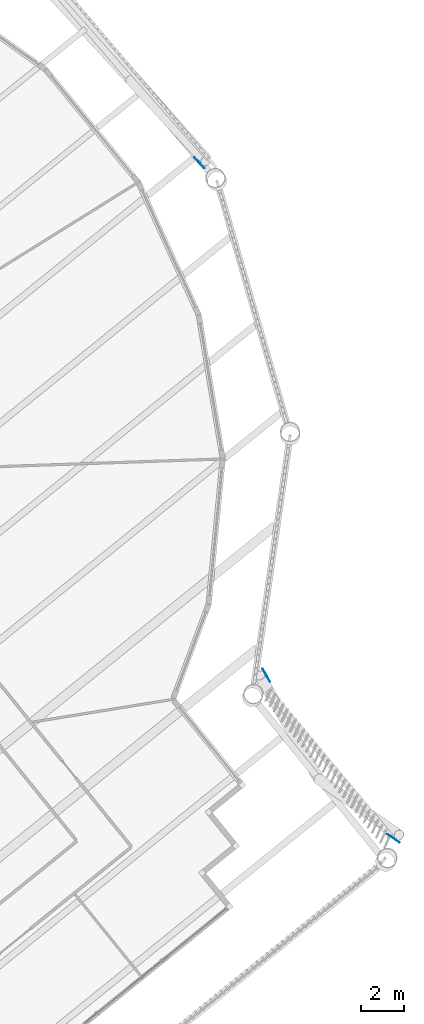
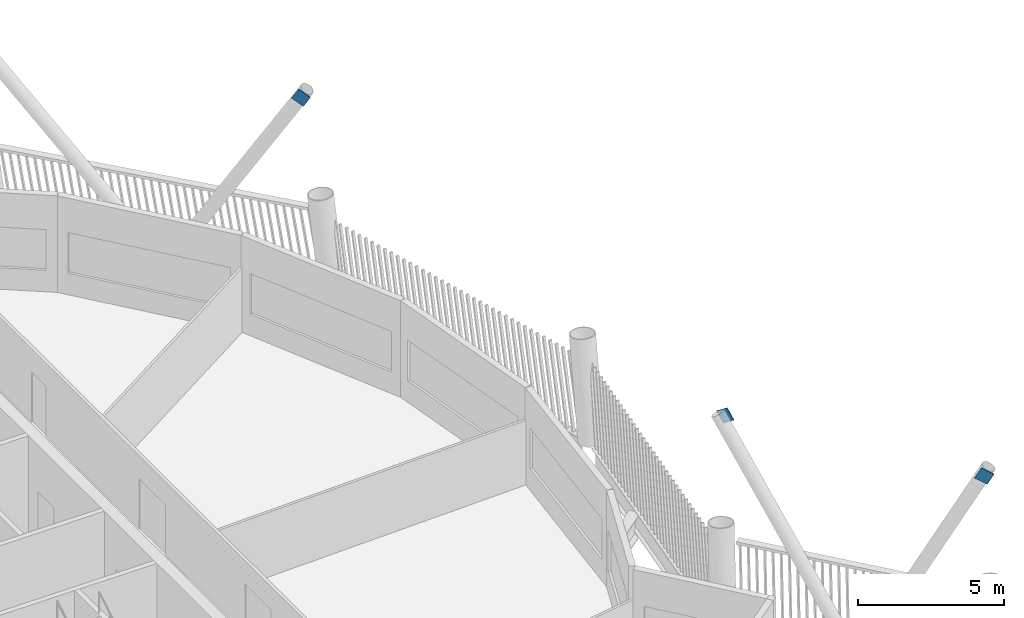
# One storey, part 27 of 36: 3 discrete accessories.
"""IFC4 building model written with IfcOpenShell, lengths in metres."""

from ifc_helpers import new_model, si_unit, direction, frame, origin, origin_2d, place, context, subcontext, project, spatial, rectangle, extrude, material, material_profile, profile_set, type_object, element, save


model = new_model("IFC4")

# Units and contexts
model_context = context("Model", 3, precision=1e-05, world=origin(), true_north=direction((0.0, 1.0)))
body_context = subcontext(model_context, "Body", "Model", "MODEL_VIEW")
ifc_project = project(units=[si_unit("LENGTHUNIT", "METRE"), si_unit("AREAUNIT", "SQUARE_METRE"), si_unit("VOLUMEUNIT", "CUBIC_METRE"), si_unit("PLANEANGLEUNIT", "RADIAN"), si_unit("MASSUNIT", "GRAM", prefix="KILO")], contexts=[model_context])

# Site, building, storey
site_placement = place(None, origin())
site = spatial("IfcSite", under=ifc_project, at=site_placement, CompositionType="ELEMENT")
building_placement = place(site_placement, origin())
building = spatial("IfcBuilding", under=site, at=building_placement, Name="Tarsis Ring Headquarters", CompositionType="ELEMENT")
storey_placement = place(building_placement, frame((0.0, 0.0, 386.0)))
storey = spatial("IfcBuildingStorey", under=building, at=storey_placement, Name="L91", CompositionType="ELEMENT", Elevation=386.0)

# Discrete accessories
ifc_material = material(Name="Structural steel S355", Category="steel")
ifc_material_profile = material_profile(ifc_material, rectangle(XDim=0.02490234375, YDim=0.5, at=origin_2d()), Name="PL 25x500")
ifc_profile_set = profile_set([ifc_material_profile], Name="Structural steel S355")
discrete_accessory_type = type_object("IfcDiscreteAccessoryType", Name="Gusset plate Exo brace 25", PredefinedType="BRACKET", material=ifc_profile_set)
for number, where, z_axis, x_axis, name in (
    (1, (27.806396484375, -9.003662109375, 8.39990234375), (0.271569433766, -0.478177114491, -0.8352225391), (0.869551916494, 0.493841537866, 0.0), "Gusset plate GP5"),
    (2, (33.859375, -16.7490234375, 8.39990234375), (-0.388291644908, 0.271559942854, -0.880616145623), (-0.573116392281, -0.819473978171, 0.0), "Gusset plate GP5"),
):
    element("IfcDiscreteAccessory", number, at=place(storey_placement, frame(where, z_axis=z_axis, x_axis=x_axis)), inside=storey, type_object=discrete_accessory_type, Name=name, PredefinedType="BRACKET", context=body_context, shape_type="SweptSolid", body=[
        extrude(rectangle(XDim=0.02490234375, YDim=0.5, at=origin_2d()), origin(), (0.0, 0.0, 1.0), 0.499755859375),
    ])
discrete_accessory_placement = place(storey_placement, frame((24.87060546875, 14.4990234375, 8.39990234375), z_axis=(-0.352053383278, 0.380862189954, -0.85498678796), x_axis=(-0.73433404577, -0.678788265384, 0.0)))
element("IfcDiscreteAccessory", 3, at=discrete_accessory_placement, inside=storey, type_object=discrete_accessory_type, Name="Gusset plate GP5", PredefinedType="BRACKET", context=body_context, shape_type="SweptSolid", body=[
    extrude(rectangle(XDim=0.02490234375, YDim=0.5, at=origin_2d()), origin(), (0.0, 0.0, 1.0), 0.5),
])

save(model, "model.ifc")
